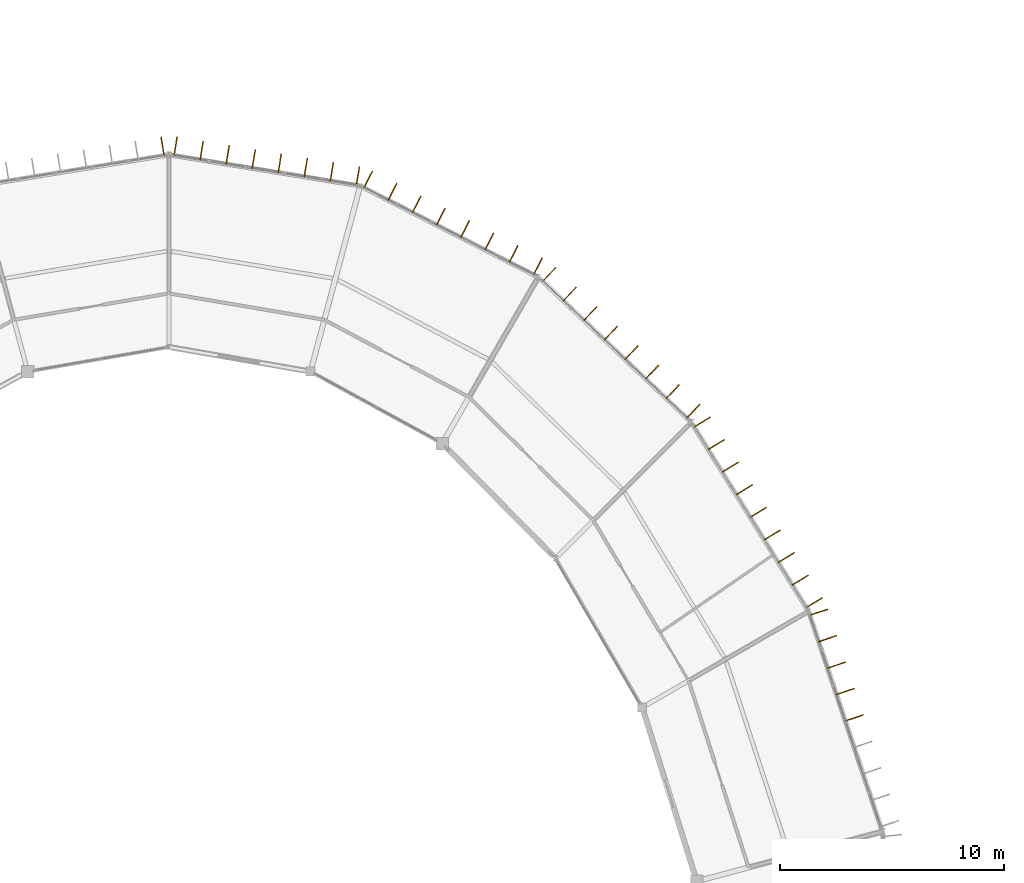
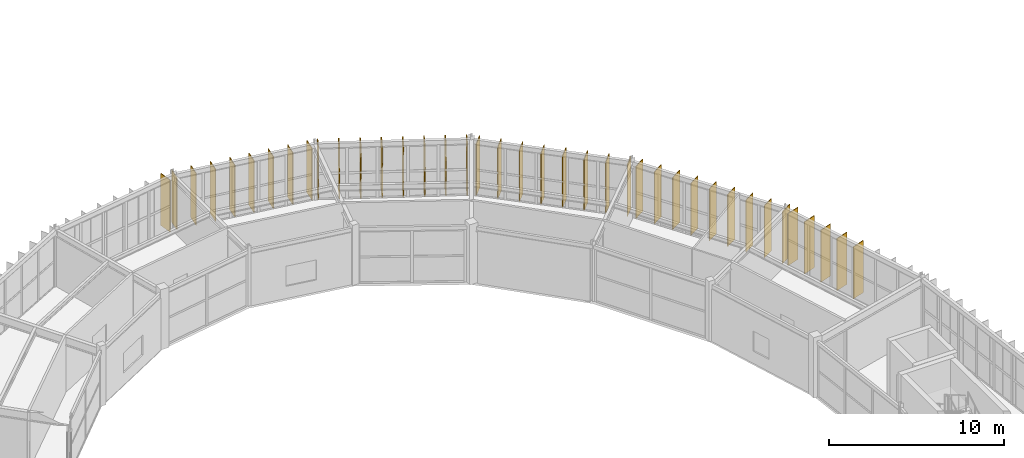
# One storey, part 128 of 130: 39 shading devices.
"""IFC4 building model written with IfcOpenShell, lengths in metres."""

import ifcopenshell
import ifcopenshell.guid

model = None  # the IFC model being written
_history = None  # IfcOwnerHistory: only IFC2X3 demands one
_inside = {}  # id of a spatial element -> (the spatial element, [elements in it])
_under = {}  # id of a project, library or spatial element -> (it, [spatial elements below it])
_declared = {}  # id of a project -> (the project, [libraries it declares])
_typed = {}  # id of a type object -> (the type object, [elements of that type])
_made_of = {}  # id of a material, layer set ... -> (it, [elements and type objects made of it])


def new_model(schema):
    """Start an empty IFC model of exactly this schema.

    Asked for "IFC4X3", IfcOpenShell would pick the latest addendum, in which some entities
    have other attributes; the version numbers below select the first issue.
    IFC2X3 requires an IfcOwnerHistory on every rooted entity: one is made here for all.
    """
    global model, _history
    if schema == "IFC4X3":
        model = ifcopenshell.file(schema_version=(4, 3, 0, 0))
    else:
        model = ifcopenshell.file(schema=schema)
    _inside.clear()
    _under.clear()
    _declared.clear()
    _typed.clear()
    _made_of.clear()
    _history = None
    if model.schema == "IFC2X3":
        org = make("IfcOrganization", Name="unknown")
        user = make(
            "IfcPersonAndOrganization",
            ThePerson=make("IfcPerson", FamilyName="unknown"),
            TheOrganization=org,
        )
        app = make(
            "IfcApplication",
            ApplicationDeveloper=org,
            Version="unknown",
            ApplicationFullName="unknown",
            ApplicationIdentifier="unknown",
        )
        _history = make(
            "IfcOwnerHistory",
            OwningUser=user,
            OwningApplication=app,
            ChangeAction="ADDED",
            CreationDate=0,
        )
    return model


def make(cls, **values):
    """One entity of the class cls with the attributes given. An attribute that is None is left unset."""
    return model.create_entity(
        cls, **{name: value for name, value in values.items() if value is not None}
    )


def rooted(cls, **values):
    """An entity with a GlobalId (a new one), such as an element, a storey or a relation."""
    return make(cls, GlobalId=ifcopenshell.guid.new(), OwnerHistory=_history, **values)


def si_unit(unit_type, name, prefix=None):
    """IfcSIUnit, for example si_unit("LENGTHUNIT", "METRE", prefix="MILLI")."""
    return make("IfcSIUnit", UnitType=unit_type, Prefix=prefix, Name=name)


def assignment(units):
    """IfcUnitAssignment: the units of a project."""
    return None if units is None else make("IfcUnitAssignment", Units=units)


def point(xyz):
    """IfcCartesianPoint."""
    return None if xyz is None else make("IfcCartesianPoint", Coordinates=xyz)


def direction(xyz):
    """IfcDirection."""
    return None if xyz is None else make("IfcDirection", DirectionRatios=xyz)


def frame(location, z_axis=None, x_axis=None):
    """IfcAxis2Placement3D, a coordinate frame: its origin and axes. An axis left out is left unset."""
    return make(
        "IfcAxis2Placement3D",
        Location=point(location),
        Axis=direction(z_axis),
        RefDirection=direction(x_axis),
    )


def frame_2d(location, x_axis=None):
    """IfcAxis2Placement2D, a coordinate frame in the plane: its origin and x axis."""
    return make(
        "IfcAxis2Placement2D", Location=point(location), RefDirection=direction(x_axis)
    )


def origin():
    """The frame at (0, 0, 0) with its axes left unset."""
    return frame((0.0, 0.0, 0.0))


def origin_2d():
    """The frame at (0, 0) in the plane with its x axis left unset."""
    return frame_2d((0.0, 0.0))


def place(relative_to, where):
    """IfcLocalPlacement: puts the frame where relative to a parent placement (None: the world)."""
    return make(
        "IfcLocalPlacement", PlacementRelTo=relative_to, RelativePlacement=where
    )


def context(
    kind, dimensions, precision=None, world=None, true_north=None, identifier=None
):
    """IfcGeometricRepresentationContext, for example the 3D "Model" context."""
    return make(
        "IfcGeometricRepresentationContext",
        ContextIdentifier=identifier,
        ContextType=kind,
        CoordinateSpaceDimension=dimensions,
        Precision=precision,
        WorldCoordinateSystem=world,
        TrueNorth=true_north,
    )


def subcontext(parent, identifier, kind, view, scale=None):
    """IfcGeometricRepresentationSubContext, for example "Body" below "Model"."""
    return make(
        "IfcGeometricRepresentationSubContext",
        ContextIdentifier=identifier,
        ContextType=kind,
        ParentContext=parent,
        TargetScale=scale,
        TargetView=view,
    )


def project(units=None, contexts=None):
    """IfcProject with its units and contexts."""
    return rooted(
        "IfcProject",
        Name="project",
        RepresentationContexts=contexts,
        UnitsInContext=assignment(units),
    )


def spatial(cls, under=None, at=None, **own):
    """A site, building, storey or space (cls), placed at a placement, below another one or the project."""
    s = rooted(cls, ObjectPlacement=at, **own)
    if under is not None:
        _under.setdefault(under.id(), (under, []))[1].append(s)
    return s


def profile(cls, at=None, kind="AREA", **sizes):
    """A parametric profile (cls). Its sizes go by their IFC names, for example OverallWidth=200.0."""
    return make(cls, ProfileType=kind, Position=at, **sizes)


def rectangle(**sizes):
    """IfcRectangleProfileDef."""
    return profile("IfcRectangleProfileDef", **sizes)


def extrude(swept, where, along, depth):
    """IfcExtrudedAreaSolid: the profile swept, set in the frame where, extruded along a direction by depth."""
    return make(
        "IfcExtrudedAreaSolid",
        SweptArea=swept,
        Position=where,
        ExtrudedDirection=direction(along),
        Depth=depth,
    )


def shape(context_of_items, identifier, shape_type, items):
    """IfcShapeRepresentation: the items that make up one representation, for example the "Body"."""
    return make(
        "IfcShapeRepresentation",
        ContextOfItems=context_of_items,
        RepresentationIdentifier=identifier,
        RepresentationType=shape_type,
        Items=items,
    )


def material(Name=None, Category=None):
    """IfcMaterial."""
    return make("IfcMaterial", Name=Name, Category=Category)


def layer(
    of_material, thickness, ventilated=None, Name=None, Category=None, Priority=None
):
    """IfcMaterialLayer: one layer of a wall or slab, of a material (None: an air gap)."""
    return make(
        "IfcMaterialLayer",
        Material=of_material,
        LayerThickness=thickness,
        IsVentilated=ventilated,
        Name=Name,
        Category=Category,
        Priority=Priority,
    )


def layer_set(layers, Name=None):
    """IfcMaterialLayerSet."""
    return make("IfcMaterialLayerSet", MaterialLayers=layers, LayerSetName=Name)


def made_of(thing, what):
    """Note that an element or type object is made of a material, layer set ...; save() writes the relation."""
    if what is not None:
        _made_of.setdefault(what.id(), (what, []))[1].append(thing)
    return thing


def type_object(cls, material=None, **own):
    """A type object (cls), such as IfcWallType, which elements share."""
    return made_of(rooted(cls, **own), material)


def element(
    cls,
    number,
    at=None,
    inside=None,
    cuts=None,
    type_object=None,
    material=None,
    context=None,
    identifier="Body",
    shape_type=None,
    held_by="IfcProductDefinitionShape",
    body=None,
    shapes=None,
    **own,
):
    """One element of the class cls, such as IfcWall. Its Tag is "e" and its number.

    at: its placement. inside: the storey or other place that contains it. cuts: it is an
    opening in that element (IfcRelVoidsElement). A single representation is given by context,
    identifier, shape_type and body (its items); several are given by shapes. held_by: the class
    of the entity that holds the representations. save() writes the other relations.
    """
    e = rooted(cls, Tag="e%d" % number, ObjectPlacement=at, **own)
    if body is not None:
        shapes = [shape(context, identifier, shape_type, body)]
    if shapes is not None:
        e.Representation = make(held_by, Representations=shapes)
    if inside is not None:
        _inside.setdefault(inside.id(), (inside, []))[1].append(e)
    if cuts is not None:
        rooted(
            "IfcRelVoidsElement", RelatingBuildingElement=cuts, RelatedOpeningElement=e
        )
    if type_object is not None:
        _typed.setdefault(type_object.id(), (type_object, []))[1].append(e)
    return made_of(e, material)


def aggregate(whole, parts):
    """IfcRelAggregates: a whole, such as a stair, and the parts it consists of."""
    return rooted("IfcRelAggregates", RelatingObject=whole, RelatedObjects=parts)


def save(model, path):
    """Write the relations noted so far, then the file.

    IfcRelAggregates (storeys below a building ...), IfcRelContainedInSpatialStructure (elements
    in a storey), IfcRelDefinesByType, IfcRelAssociatesMaterial and IfcRelDeclares: one each for
    every whole, place, type object, material and project.
    """
    for whole, parts in _under.values():
        aggregate(whole, parts)
    for where, things in _inside.values():
        rooted(
            "IfcRelContainedInSpatialStructure",
            RelatedElements=things,
            RelatingStructure=where,
        )
    for kind, things in _typed.values():
        rooted("IfcRelDefinesByType", RelatedObjects=things, RelatingType=kind)
    for what, things in _made_of.values():
        rooted("IfcRelAssociatesMaterial", RelatedObjects=things, RelatingMaterial=what)
    for by, libraries in _declared.values():
        rooted("IfcRelDeclares", RelatingContext=by, RelatedDefinitions=libraries)
    model.write(path)


model = new_model("IFC4")

# Units and contexts
model_context = context("Model", 3, precision=1e-05, world=origin(), true_north=direction((0.0, 1.0)))
body_context = subcontext(model_context, "Body", "Model", "MODEL_VIEW")
ifc_project = project(units=[si_unit("LENGTHUNIT", "METRE"), si_unit("AREAUNIT", "SQUARE_METRE"), si_unit("VOLUMEUNIT", "CUBIC_METRE"), si_unit("PLANEANGLEUNIT", "RADIAN"), si_unit("MASSUNIT", "GRAM", prefix="KILO")], contexts=[model_context])

# Site, building, storey
site_placement = place(None, origin())
site = spatial("IfcSite", under=ifc_project, at=site_placement, CompositionType="ELEMENT")
building_placement = place(site_placement, origin())
building = spatial("IfcBuilding", under=site, at=building_placement, Name="Karori Crest Natural Sciences Institute", CompositionType="ELEMENT")
storey_placement = place(building_placement, frame((0.0, 0.0, 17.5)))
storey = spatial("IfcBuildingStorey", under=building, at=storey_placement, Name="L04", CompositionType="ELEMENT", Elevation=17.5)

# Shading devices
ifc_material = material(Name="Anodised architectural aluminium 6063-T6", Category="aluminium")
ifc_layer = layer(ifc_material, 0.044921875, Name="Anodised architectural aluminium 6063-T6")
ifc_layer_set = layer_set([ifc_layer], Name="Anodised architectural aluminium 6063-T6")
shading_device_type = type_object("IfcShadingDeviceType", Name="SDT-FIN", PredefinedType="USERDEFINED", material=ifc_layer_set)
for number, where, z_axis, x_axis, name in (
    (1, (95.42578125, 70.25634765625, 0.0), (0.0, 0.0, 1.0), (0.948197867933, 0.317680347595, 0.0), "Vertical solar fin FN-0622"),
    (2, (95.8212890625, 69.075439453125, 0.0), (0.0, 0.0, 1.0), (0.948197867933, 0.317680347595, 0.0), "Vertical solar fin FN-0623"),
    (3, (96.217041015625, 67.894775390625, 0.0), (0.0, 0.0, 1.0), (0.948197867933, 0.317680347595, 0.0), "Vertical solar fin FN-0624"),
    (4, (96.61279296875, 66.7138671875, 0.0), (0.0, 0.0, 1.0), (0.948197867933, 0.317680347595, 0.0), "Vertical solar fin FN-0625"),
    (5, (97.00830078125, 65.533203125, 0.0), (0.0, 0.0, 1.0), (0.948197867933, 0.317680347595, 0.0), "Vertical solar fin FN-0626"),
    (6, (90.215087890625, 78.7529296875, 0.0), (0.0, 0.0, 1.0), (0.849661763889, 0.527328063907, 0.0), "Vertical solar fin FN-0631"),
    (7, (90.84130859375, 77.743896484375, 0.0), (0.0, 0.0, 1.0), (0.849661763889, 0.527328063907, 0.0), "Vertical solar fin FN-0632"),
    (8, (91.4677734375, 76.73486328125, 0.0), (0.0, 0.0, 1.0), (0.849661763889, 0.527328063907, 0.0), "Vertical solar fin FN-0633"),
    (9, (92.093994140625, 75.725830078125, 0.0), (0.0, 0.0, 1.0), (0.849661763889, 0.527328063907, 0.0), "Vertical solar fin FN-0634"),
    (10, (92.72021484375, 74.716796875, 0.0), (0.0, 0.0, 1.0), (0.849661763889, 0.527328063907, 0.0), "Vertical solar fin FN-0635"),
    (11, (93.346435546875, 73.70751953125, 0.0), (0.0, 0.0, 1.0), (0.849661763889, 0.527328063907, 0.0), "Vertical solar fin FN-0636"),
    (12, (93.97265625, 72.698486328125, 0.0), (0.0, 0.0, 1.0), (0.849661763889, 0.527328063907, 0.0), "Vertical solar fin FN-0637"),
    (13, (94.59912109375, 71.689453125, 0.0), (0.0, 0.0, 1.0), (0.849661763889, 0.527328063907, 0.0), "Vertical solar fin FN-0638"),
    (14, (95.22509765625, 70.680419921875, 0.0), (0.0, 0.0, 1.0), (0.849661763889, 0.527328063907, 0.0), "Vertical solar fin FN-0639"),
    (15, (83.38037109375, 85.34326171875, 0.0), (0.0, 0.0, 1.0), (0.68825202143, 0.725471677599, 0.0), "Vertical solar fin FN-0640"),
    (16, (84.2998046875, 84.470947265625, 0.0), (0.0, 0.0, 1.0), (0.68825202143, 0.725471677599, 0.0), "Vertical solar fin FN-0641"),
    (17, (85.219482421875, 83.598388671875, 0.0), (0.0, 0.0, 1.0), (0.68825202143, 0.725471677599, 0.0), "Vertical solar fin FN-0642"),
    (18, (86.13916015625, 82.72607421875, 0.0), (0.0, 0.0, 1.0), (0.68825202143, 0.725471677599, 0.0), "Vertical solar fin FN-0643"),
    (19, (87.058837890625, 81.853515625, 0.0), (0.0, 0.0, 1.0), (0.68825202143, 0.725471677599, 0.0), "Vertical solar fin FN-0644"),
    (20, (87.978515625, 80.981201171875, 0.0), (0.0, 0.0, 1.0), (0.68825202143, 0.725471677599, 0.0), "Vertical solar fin FN-0645"),
    (21, (88.89794921875, 80.108642578125, 0.0), (0.0, 0.0, 1.0), (0.68825202143, 0.725471677599, 0.0), "Vertical solar fin FN-0646"),
    (22, (89.817626953125, 79.236328125, 0.0), (0.0, 0.0, 1.0), (0.68825202143, 0.725471677599, 0.0), "Vertical solar fin FN-0647"),
    (23, (75.2919921875, 89.590576171875, 0.0), (0.0, 0.0, 1.0), (0.455829213737, 0.890067260326, 0.0), "Vertical solar fin FN-0648"),
    (24, (76.375, 89.035888671875, 0.0), (0.0, 0.0, 1.0), (0.455829213737, 0.890067260326, 0.0), "Vertical solar fin FN-0649"),
    (25, (77.4580078125, 88.4814453125, 0.0), (0.0, 0.0, 1.0), (0.455829213737, 0.890067260326, 0.0), "Vertical solar fin FN-0650"),
    (26, (78.541015625, 87.9267578125, 0.0), (0.0, 0.0, 1.0), (0.455829213737, 0.890067260326, 0.0), "Vertical solar fin FN-0651"),
    (27, (79.623779296875, 87.372314453125, 0.0), (0.0, 0.0, 1.0), (0.455829213737, 0.890067260326, 0.0), "Vertical solar fin FN-0652"),
    (28, (80.706787109375, 86.817626953125, 0.0), (0.0, 0.0, 1.0), (0.455829213737, 0.890067260326, 0.0), "Vertical solar fin FN-0653"),
    (29, (81.789794921875, 86.262939453125, 0.0), (0.0, 0.0, 1.0), (0.455829213737, 0.890067260326, 0.0), "Vertical solar fin FN-0654"),
    (30, (82.872802734375, 85.70849609375, 0.0), (0.0, 0.0, 1.0), (0.455829213737, 0.890067260326, 0.0), "Vertical solar fin FN-0655"),
    (31, (66.690673828125, 91.068115234375, 0.0), (0.0, 0.0, 1.0), (0.160654710652, 0.987010670634, 0.0), "Vertical solar fin FN-0656"),
    (32, (67.853759765625, 90.87890625, 0.0), (0.0, 0.0, 1.0), (0.160654710652, 0.987010670634, 0.0), "Vertical solar fin FN-0657"),
    (33, (69.01708984375, 90.689453125, 0.0), (0.0, 0.0, 1.0), (0.160654710652, 0.987010670634, 0.0), "Vertical solar fin FN-0658"),
    (34, (70.180419921875, 90.5, 0.0), (0.0, 0.0, 1.0), (0.160654710652, 0.987010670634, 0.0), "Vertical solar fin FN-0659"),
    (35, (71.343505859375, 90.310791015625, 0.0), (0.0, 0.0, 1.0), (0.160654710652, 0.987010670634, 0.0), "Vertical solar fin FN-0660"),
    (36, (72.506591796875, 90.121337890625, 0.0), (0.0, 0.0, 1.0), (0.160654710652, 0.987010670634, 0.0), "Vertical solar fin FN-0661"),
    (37, (73.669921875, 89.93212890625, 0.0), (0.0, 0.0, 1.0), (0.160654710652, 0.987010670634, 0.0), "Vertical solar fin FN-0662"),
    (38, (74.833251953125, 89.74267578125, 0.0), (0.0, 0.0, 1.0), (0.160654710652, 0.987010670634, 0.0), "Vertical solar fin FN-0663"),
    (39, (66.109375, 91.068115234375, 0.0), (0.0, 0.0, 1.0), (-0.160649542674, 0.987011511807, 0.0), "Vertical solar fin FN-0671"),
):
    element("IfcShadingDevice", number, at=place(storey_placement, frame(where, z_axis=z_axis, x_axis=x_axis)), inside=storey, type_object=shading_device_type, Name=name, ObjectType="SOLAR_FIN", PredefinedType="USERDEFINED", context=body_context, shape_type="SweptSolid", body=[
        extrude(rectangle(XDim=0.85009765625, YDim=0.044921875, at=origin_2d()), origin(), (0.0, 0.0, 1.0), 3.625),
    ])

save(model, "model.ifc")
